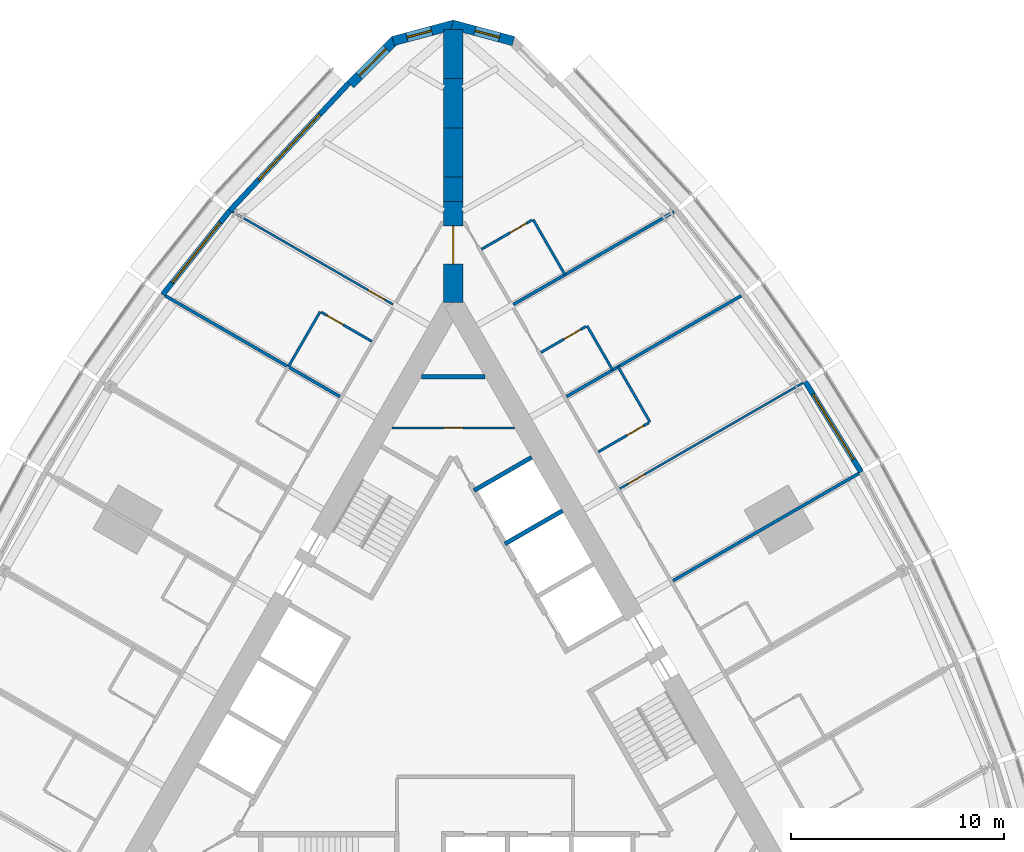
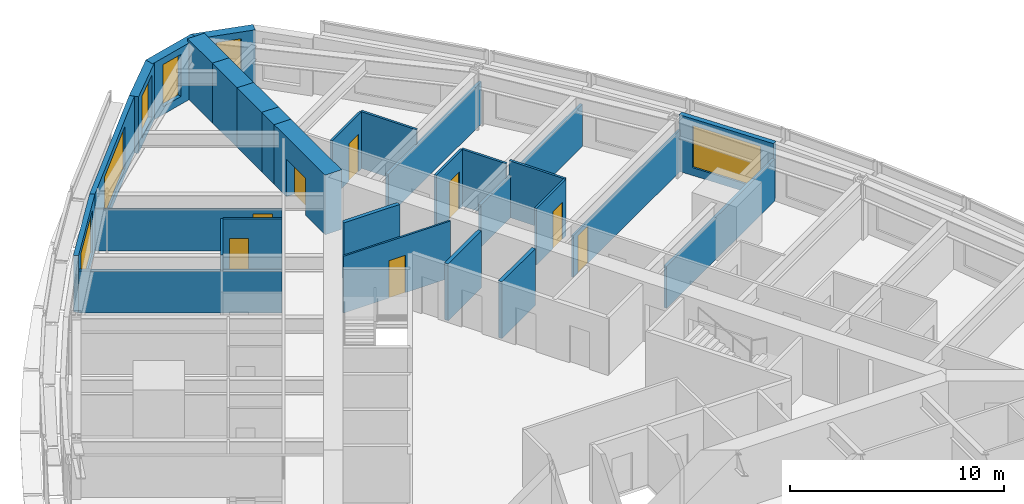
# One storey, part 12 of 14: 29 walls, 8 doors, 6 windows, 14 openings.
"""IFC4 building model written with IfcOpenShell, lengths in metres."""

import ifcopenshell
import ifcopenshell.guid

model = None  # the IFC model being written
_history = None  # IfcOwnerHistory: only IFC2X3 demands one
_inside = {}  # id of a spatial element -> (the spatial element, [elements in it])
_under = {}  # id of a project, library or spatial element -> (it, [spatial elements below it])
_declared = {}  # id of a project -> (the project, [libraries it declares])
_typed = {}  # id of a type object -> (the type object, [elements of that type])
_made_of = {}  # id of a material, layer set ... -> (it, [elements and type objects made of it])


def new_model(schema):
    """Start an empty IFC model of exactly this schema.

    Asked for "IFC4X3", IfcOpenShell would pick the latest addendum, in which some entities
    have other attributes; the version numbers below select the first issue.
    IFC2X3 requires an IfcOwnerHistory on every rooted entity: one is made here for all.
    """
    global model, _history
    if schema == "IFC4X3":
        model = ifcopenshell.file(schema_version=(4, 3, 0, 0))
    else:
        model = ifcopenshell.file(schema=schema)
    _inside.clear()
    _under.clear()
    _declared.clear()
    _typed.clear()
    _made_of.clear()
    _history = None
    if model.schema == "IFC2X3":
        org = make("IfcOrganization", Name="unknown")
        user = make(
            "IfcPersonAndOrganization",
            ThePerson=make("IfcPerson", FamilyName="unknown"),
            TheOrganization=org,
        )
        app = make(
            "IfcApplication",
            ApplicationDeveloper=org,
            Version="unknown",
            ApplicationFullName="unknown",
            ApplicationIdentifier="unknown",
        )
        _history = make(
            "IfcOwnerHistory",
            OwningUser=user,
            OwningApplication=app,
            ChangeAction="ADDED",
            CreationDate=0,
        )
    return model


def make(cls, **values):
    """One entity of the class cls with the attributes given. An attribute that is None is left unset."""
    return model.create_entity(
        cls, **{name: value for name, value in values.items() if value is not None}
    )


def rooted(cls, **values):
    """An entity with a GlobalId (a new one), such as an element, a storey or a relation."""
    return make(cls, GlobalId=ifcopenshell.guid.new(), OwnerHistory=_history, **values)


def si_unit(unit_type, name, prefix=None):
    """IfcSIUnit, for example si_unit("LENGTHUNIT", "METRE", prefix="MILLI")."""
    return make("IfcSIUnit", UnitType=unit_type, Prefix=prefix, Name=name)


def assignment(units):
    """IfcUnitAssignment: the units of a project."""
    return None if units is None else make("IfcUnitAssignment", Units=units)


def point(xyz):
    """IfcCartesianPoint."""
    return None if xyz is None else make("IfcCartesianPoint", Coordinates=xyz)


def direction(xyz):
    """IfcDirection."""
    return None if xyz is None else make("IfcDirection", DirectionRatios=xyz)


def frame(location, z_axis=None, x_axis=None):
    """IfcAxis2Placement3D, a coordinate frame: its origin and axes. An axis left out is left unset."""
    return make(
        "IfcAxis2Placement3D",
        Location=point(location),
        Axis=direction(z_axis),
        RefDirection=direction(x_axis),
    )


def frame_2d(location, x_axis=None):
    """IfcAxis2Placement2D, a coordinate frame in the plane: its origin and x axis."""
    return make(
        "IfcAxis2Placement2D", Location=point(location), RefDirection=direction(x_axis)
    )


def origin():
    """The frame at (0, 0, 0) with its axes left unset."""
    return frame((0.0, 0.0, 0.0))


def place(relative_to, where):
    """IfcLocalPlacement: puts the frame where relative to a parent placement (None: the world)."""
    return make(
        "IfcLocalPlacement", PlacementRelTo=relative_to, RelativePlacement=where
    )


def context(
    kind, dimensions, precision=None, world=None, true_north=None, identifier=None
):
    """IfcGeometricRepresentationContext, for example the 3D "Model" context."""
    return make(
        "IfcGeometricRepresentationContext",
        ContextIdentifier=identifier,
        ContextType=kind,
        CoordinateSpaceDimension=dimensions,
        Precision=precision,
        WorldCoordinateSystem=world,
        TrueNorth=true_north,
    )


def subcontext(parent, identifier, kind, view, scale=None):
    """IfcGeometricRepresentationSubContext, for example "Body" below "Model"."""
    return make(
        "IfcGeometricRepresentationSubContext",
        ContextIdentifier=identifier,
        ContextType=kind,
        ParentContext=parent,
        TargetScale=scale,
        TargetView=view,
    )


def project(units=None, contexts=None):
    """IfcProject with its units and contexts."""
    return rooted(
        "IfcProject",
        Name="project",
        RepresentationContexts=contexts,
        UnitsInContext=assignment(units),
    )


def spatial(cls, under=None, at=None, **own):
    """A site, building, storey or space (cls), placed at a placement, below another one or the project."""
    s = rooted(cls, ObjectPlacement=at, **own)
    if under is not None:
        _under.setdefault(under.id(), (under, []))[1].append(s)
    return s


def polyline(points):
    """IfcPolyline through the points."""
    return make("IfcPolyline", Points=[point(p) for p in points])


def profile(cls, at=None, kind="AREA", **sizes):
    """A parametric profile (cls). Its sizes go by their IFC names, for example OverallWidth=200.0."""
    return make(cls, ProfileType=kind, Position=at, **sizes)


def rectangle(**sizes):
    """IfcRectangleProfileDef."""
    return profile("IfcRectangleProfileDef", **sizes)


def outline(outer, holes=None, kind="AREA"):
    """IfcArbitraryClosedProfileDef: a profile drawn as a closed curve; with holes, ...WithVoids."""
    if holes is None:
        return make("IfcArbitraryClosedProfileDef", ProfileType=kind, OuterCurve=outer)
    return make(
        "IfcArbitraryProfileDefWithVoids",
        ProfileType=kind,
        OuterCurve=outer,
        InnerCurves=holes,
    )


def extrude(swept, where, along, depth):
    """IfcExtrudedAreaSolid: the profile swept, set in the frame where, extruded along a direction by depth."""
    return make(
        "IfcExtrudedAreaSolid",
        SweptArea=swept,
        Position=where,
        ExtrudedDirection=direction(along),
        Depth=depth,
    )


def shape(context_of_items, identifier, shape_type, items):
    """IfcShapeRepresentation: the items that make up one representation, for example the "Body"."""
    return make(
        "IfcShapeRepresentation",
        ContextOfItems=context_of_items,
        RepresentationIdentifier=identifier,
        RepresentationType=shape_type,
        Items=items,
    )


def material(Name=None, Category=None):
    """IfcMaterial."""
    return make("IfcMaterial", Name=Name, Category=Category)


def layer(
    of_material, thickness, ventilated=None, Name=None, Category=None, Priority=None
):
    """IfcMaterialLayer: one layer of a wall or slab, of a material (None: an air gap)."""
    return make(
        "IfcMaterialLayer",
        Material=of_material,
        LayerThickness=thickness,
        IsVentilated=ventilated,
        Name=Name,
        Category=Category,
        Priority=Priority,
    )


def layer_set(layers, Name=None):
    """IfcMaterialLayerSet."""
    return make("IfcMaterialLayerSet", MaterialLayers=layers, LayerSetName=Name)


def made_of(thing, what):
    """Note that an element or type object is made of a material, layer set ...; save() writes the relation."""
    if what is not None:
        _made_of.setdefault(what.id(), (what, []))[1].append(thing)
    return thing


def type_object(cls, material=None, **own):
    """A type object (cls), such as IfcWallType, which elements share."""
    return made_of(rooted(cls, **own), material)


def element(
    cls,
    number,
    at=None,
    inside=None,
    cuts=None,
    type_object=None,
    material=None,
    context=None,
    identifier="Body",
    shape_type=None,
    held_by="IfcProductDefinitionShape",
    body=None,
    shapes=None,
    **own,
):
    """One element of the class cls, such as IfcWall. Its Tag is "e" and its number.

    at: its placement. inside: the storey or other place that contains it. cuts: it is an
    opening in that element (IfcRelVoidsElement). A single representation is given by context,
    identifier, shape_type and body (its items); several are given by shapes. held_by: the class
    of the entity that holds the representations. save() writes the other relations.
    """
    e = rooted(cls, Tag="e%d" % number, ObjectPlacement=at, **own)
    if body is not None:
        shapes = [shape(context, identifier, shape_type, body)]
    if shapes is not None:
        e.Representation = make(held_by, Representations=shapes)
    if inside is not None:
        _inside.setdefault(inside.id(), (inside, []))[1].append(e)
    if cuts is not None:
        rooted(
            "IfcRelVoidsElement", RelatingBuildingElement=cuts, RelatedOpeningElement=e
        )
    if type_object is not None:
        _typed.setdefault(type_object.id(), (type_object, []))[1].append(e)
    return made_of(e, material)


def fill(opening, filler):
    """IfcRelFillsElement: the door or window that sits in an opening."""
    return rooted(
        "IfcRelFillsElement",
        RelatingOpeningElement=opening,
        RelatedBuildingElement=filler,
    )


def aggregate(whole, parts):
    """IfcRelAggregates: a whole, such as a stair, and the parts it consists of."""
    return rooted("IfcRelAggregates", RelatingObject=whole, RelatedObjects=parts)


def save(model, path):
    """Write the relations noted so far, then the file.

    IfcRelAggregates (storeys below a building ...), IfcRelContainedInSpatialStructure (elements
    in a storey), IfcRelDefinesByType, IfcRelAssociatesMaterial and IfcRelDeclares: one each for
    every whole, place, type object, material and project.
    """
    for whole, parts in _under.values():
        aggregate(whole, parts)
    for where, things in _inside.values():
        rooted(
            "IfcRelContainedInSpatialStructure",
            RelatedElements=things,
            RelatingStructure=where,
        )
    for kind, things in _typed.values():
        rooted("IfcRelDefinesByType", RelatedObjects=things, RelatingType=kind)
    for what, things in _made_of.values():
        rooted("IfcRelAssociatesMaterial", RelatedObjects=things, RelatingMaterial=what)
    for by, libraries in _declared.values():
        rooted("IfcRelDeclares", RelatingContext=by, RelatedDefinitions=libraries)
    model.write(path)


model = new_model("IFC4")

# Units and contexts
model_context = context("Model", 3, precision=1e-05, world=origin(), true_north=direction((0.0, 1.0)))
body_context = subcontext(model_context, "Body", "Model", "MODEL_VIEW")
ifc_project = project(units=[si_unit("LENGTHUNIT", "METRE"), si_unit("AREAUNIT", "SQUARE_METRE"), si_unit("VOLUMEUNIT", "CUBIC_METRE"), si_unit("PLANEANGLEUNIT", "RADIAN"), si_unit("MASSUNIT", "GRAM", prefix="KILO")], contexts=[model_context])

# Site, building, storey
site_placement = place(None, origin())
site = spatial("IfcSite", under=ifc_project, at=site_placement, CompositionType="ELEMENT")
building_placement = place(site_placement, origin())
building = spatial("IfcBuilding", under=site, at=building_placement, Name="Trikona Tower", CompositionType="ELEMENT")
storey_placement = place(building_placement, frame((0.0, 0.0, 52.300048828125)))
storey = spatial("IfcBuildingStorey", under=building, at=storey_placement, Name="L12", CompositionType="ELEMENT", Elevation=52.300048828125)

# Wall
ifc_material_1 = material(Name="Metal stud and cement board", Category="gypsum")
ifc_layer_1 = layer(ifc_material_1, 0.1201171875)
ifc_layer_set_1 = layer_set([ifc_layer_1], Name="Bathroom wall 120")
wall_type_1 = type_object("IfcWallType", Name="Bathroom wall 120", PredefinedType="PLUMBINGWALL", material=ifc_layer_set_1)
wall_1_placement = place(storey_placement, frame((9.25341796875, 13.42529296875, 0.0), z_axis=(0.0, 0.0, 1.0), x_axis=(-0.499990139034, 0.866031096941, 0.0)))
element("IfcWall", 1, at=wall_1_placement, inside=storey, type_object=wall_type_1, Name="Bathroom wall 1208.1", PredefinedType="PLUMBINGWALL", context=body_context, shape_type="SweptSolid", body=[
    extrude(rectangle(XDim=3.0, YDim=0.1201171875, at=frame_2d((1.5, 0.0))), origin(), (0.0, 0.0, 1.0), 3.23486328125),
])

# Wall, opening, door
wall_2_placement = place(storey_placement, frame((6.82861328125, 12.025390625, 0.0), z_axis=(0.0, 0.0, 1.0), x_axis=(0.866035715982, 0.499982138324, 0.0)))
wall_2 = element("IfcWall", 2, at=wall_2_placement, inside=storey, type_object=wall_type_1, Name="Bathroom wall 1208.1", PredefinedType="PLUMBINGWALL", context=body_context, shape_type="SweptSolid", body=[
    extrude(rectangle(XDim=2.73974609375, YDim=0.1201171875, at=frame_2d((1.369873046875, 0.0))), origin(), (0.0, 0.0, 1.0), 3.23486328125),
])
opening_1_placement = place(wall_2_placement, frame((1.550048828125, 0.0, 0.0)))
opening_1 = element("IfcOpeningElement", 3, at=opening_1_placement, cuts=wall_2, Name="Opening D2", PredefinedType="OPENING", context=body_context, shape_type="SweptSolid", body=[
    extrude(rectangle(XDim=0.89990234375, YDim=2.1298828125, at=frame_2d((0.449951171875, 1.06494140625))), frame((0.0, 0.070068359375, 0.0), z_axis=(0.0, -1.0, 0.0), x_axis=(1.0, 0.0, 0.0)), (0.0, 0.0, 1.0), 0.14013671875),
])
ifc_material_2 = material(Name="Steel door frame with solid-core timber leaf", Category="steel")
door_type_1 = type_object("IfcDoorType", Name="Bathroom door 900x2130", OperationType="SLIDING_TO_LEFT", PredefinedType="DOOR", material=ifc_material_2)
door_1_placement = place(opening_1_placement, origin())
door_1 = element("IfcDoor", 4, at=door_1_placement, inside=storey, type_object=door_type_1, Name="Bathroom door 1208.1", OperationType="SLIDING_TO_LEFT", OverallHeight=2.1298828125, OverallWidth=0.89990234375, PredefinedType="DOOR", context=body_context, shape_type="SweptSolid", body=[
    extrude(rectangle(XDim=0.89990234375, YDim=2.1298828125, at=frame_2d((0.449951171875, 1.06494140625))), frame((0.0, 0.02490234375, 0.0), z_axis=(0.0, -1.0, 0.0), x_axis=(1.0, 0.0, 0.0)), (0.0, 0.0, 1.0), 0.050048828125),
])
fill(opening_1, door_1)

# Wall
wall_3_placement = place(storey_placement, frame((7.493408203125, 15.873291015625, 0.0), z_axis=(0.0, 0.0, 1.0), x_axis=(-0.499957262057, 0.866050077142, 0.0)))
element("IfcWall", 5, at=wall_3_placement, inside=storey, type_object=wall_type_1, Name="Bathroom wall 1209", PredefinedType="PLUMBINGWALL", context=body_context, shape_type="SweptSolid", body=[
    extrude(rectangle(XDim=2.400146484375, YDim=0.1201171875, at=frame_2d((1.2001953125, 0.0))), origin(), (0.0, 0.0, 1.0), 3.23486328125),
])

# Wall, opening, door
wall_4_placement = place(storey_placement, frame((4.12841796875, 16.701904296875, 0.0), z_axis=(0.0, 0.0, 1.0), x_axis=(0.866048967903, 0.499959183527, 0.0)))
wall_4 = element("IfcWall", 6, at=wall_4_placement, inside=storey, type_object=wall_type_1, Name="Bathroom wall 1209", PredefinedType="PLUMBINGWALL", context=body_context, shape_type="SweptSolid", body=[
    extrude(rectangle(XDim=2.440185546875, YDim=0.1201171875, at=frame_2d((1.22021484375, 0.0))), origin(), (0.0, 0.0, 1.0), 3.23486328125),
])
opening_2_placement = place(wall_4_placement, frame((1.25, 0.0, 0.0)))
opening_2 = element("IfcOpeningElement", 7, at=opening_2_placement, cuts=wall_4, Name="Opening D2", PredefinedType="OPENING", context=body_context, shape_type="SweptSolid", body=[
    extrude(rectangle(XDim=0.89990234375, YDim=2.1298828125, at=frame_2d((0.449951171875, 1.06494140625))), frame((0.0, 0.070068359375, 0.0), z_axis=(0.0, -1.0, 0.0), x_axis=(1.0, 0.0, 0.0)), (0.0, 0.0, 1.0), 0.14013671875),
])
door_2_placement = place(opening_2_placement, origin())
door_2 = element("IfcDoor", 8, at=door_2_placement, inside=storey, type_object=door_type_1, Name="Bathroom door 1209", OperationType="SLIDING_TO_LEFT", OverallHeight=2.1298828125, OverallWidth=0.89990234375, PredefinedType="DOOR", context=body_context, shape_type="SweptSolid", body=[
    extrude(rectangle(XDim=0.89990234375, YDim=2.1298828125, at=frame_2d((0.449951171875, 1.06494140625))), frame((0.0, 0.02490234375, 0.0), z_axis=(0.0, -1.0, 0.0), x_axis=(1.0, 0.0, 0.0)), (0.0, 0.0, 1.0), 0.050048828125),
])
fill(opening_2, door_2)

# Wall
wall_5_placement = place(storey_placement, frame((5.25341796875, 20.353515625, 0.0), z_axis=(0.0, 0.0, 1.0), x_axis=(-0.499990139034, 0.866031096941, 0.0)))
element("IfcWall", 9, at=wall_5_placement, inside=storey, type_object=wall_type_1, Name="Bathroom wall 1210", PredefinedType="PLUMBINGWALL", context=body_context, shape_type="SweptSolid", body=[
    extrude(rectangle(XDim=3.0, YDim=0.1201171875, at=frame_2d((1.5, 0.0))), origin(), (0.0, 0.0, 1.0), 3.23486328125),
])

# Wall, opening, door
wall_6_placement = place(storey_placement, frame((1.32861328125, 21.551513671875, 0.0), z_axis=(0.0, 0.0, 1.0), x_axis=(0.865997131366, 0.500048966069, 0.0)))
wall_6 = element("IfcWall", 10, at=wall_6_placement, inside=storey, type_object=wall_type_1, Name="Bathroom wall 1210", PredefinedType="PLUMBINGWALL", context=body_context, shape_type="SweptSolid", body=[
    extrude(rectangle(XDim=2.739990234375, YDim=0.1201171875, at=frame_2d((1.3701171875, 0.0))), origin(), (0.0, 0.0, 1.0), 3.23486328125),
])
opening_3_placement = place(wall_6_placement, frame((1.550048828125, 0.0, 0.0)))
opening_3 = element("IfcOpeningElement", 11, at=opening_3_placement, cuts=wall_6, Name="Opening D2", PredefinedType="OPENING", context=body_context, shape_type="SweptSolid", body=[
    extrude(rectangle(XDim=0.89990234375, YDim=2.1298828125, at=frame_2d((0.449951171875, 1.06494140625))), frame((0.0, 0.070068359375, 0.0), z_axis=(0.0, -1.0, 0.0), x_axis=(1.0, 0.0, 0.0)), (0.0, 0.0, 1.0), 0.14013671875),
])
door_3_placement = place(opening_3_placement, origin())
door_3 = element("IfcDoor", 12, at=door_3_placement, inside=storey, type_object=door_type_1, Name="Bathroom door 1210", OperationType="SLIDING_TO_LEFT", OverallHeight=2.1298828125, OverallWidth=0.89990234375, PredefinedType="DOOR", context=body_context, shape_type="SweptSolid", body=[
    extrude(rectangle(XDim=0.89990234375, YDim=2.1298828125, at=frame_2d((0.449951171875, 1.06494140625))), frame((0.0, 0.02490234375, 0.0), z_axis=(0.0, -1.0, 0.0), x_axis=(1.0, 0.0, 0.0)), (0.0, 0.0, 1.0), 0.050048828125),
])
fill(opening_3, door_3)

# Wall
wall_7_placement = place(storey_placement, frame((-6.25341796875, 18.62158203125, 0.0), z_axis=(0.0, 0.0, 1.0), x_axis=(-0.499990139034, -0.866031096941, 0.0)))
element("IfcWall", 13, at=wall_7_placement, inside=storey, type_object=wall_type_1, Name="Bathroom wall 1211.1", PredefinedType="PLUMBINGWALL", context=body_context, shape_type="SweptSolid", body=[
    extrude(rectangle(XDim=3.0, YDim=0.1201171875, at=frame_2d((1.5, 0.0))), origin(), (0.0, 0.0, 1.0), 3.23486328125),
])

# Wall, opening, door
wall_8_placement = place(storey_placement, frame((-3.82861328125, 17.221435546875, 0.0), z_axis=(0.0, 0.0, 1.0), x_axis=(-0.865997131366, 0.500048966069, 0.0)))
wall_8 = element("IfcWall", 14, at=wall_8_placement, inside=storey, type_object=wall_type_1, Name="Bathroom wall 1211.1", PredefinedType="PLUMBINGWALL", context=body_context, shape_type="SweptSolid", body=[
    extrude(rectangle(XDim=2.739990234375, YDim=0.1201171875, at=frame_2d((1.3701171875, 0.0))), origin(), (0.0, 0.0, 1.0), 3.23486328125),
])
opening_4_placement = place(wall_8_placement, frame((1.550048828125, 0.0, 0.0)))
opening_4 = element("IfcOpeningElement", 15, at=opening_4_placement, cuts=wall_8, Name="Opening D2", PredefinedType="OPENING", context=body_context, shape_type="SweptSolid", body=[
    extrude(rectangle(XDim=0.89990234375, YDim=2.1298828125, at=frame_2d((0.449951171875, 1.06494140625))), frame((0.0, 0.070068359375, 0.0), z_axis=(0.0, -1.0, 0.0), x_axis=(1.0, 0.0, 0.0)), (0.0, 0.0, 1.0), 0.14013671875),
])
door_4_placement = place(opening_4_placement, origin())
door_4 = element("IfcDoor", 16, at=door_4_placement, inside=storey, type_object=door_type_1, Name="Bathroom door 1211.1", OperationType="SLIDING_TO_LEFT", OverallHeight=2.1298828125, OverallWidth=0.89990234375, PredefinedType="DOOR", context=body_context, shape_type="SweptSolid", body=[
    extrude(rectangle(XDim=0.89990234375, YDim=2.1298828125, at=frame_2d((0.449951171875, 1.06494140625))), frame((0.0, 0.02490234375, 0.0), z_axis=(0.0, -1.0, 0.0), x_axis=(1.0, 0.0, 0.0)), (0.0, 0.0, 1.0), 0.050048828125),
])
fill(opening_4, door_4)

# Wall, opening, window
ifc_material_3 = material(Name="Brick-faced precast concrete", Category="masonry")
ifc_layer_2 = layer(ifc_material_3, 0.449951171875)
ifc_layer_set_2 = layer_set([ifc_layer_2], Name="Brick-faced corner wall 450")
wall_type_2 = type_object("IfcWallType", Name="Brick-faced corner wall 450", PredefinedType="SOLIDWALL", material=ifc_layer_set_2)
wall_9_placement = place(storey_placement, frame((2.82861328125, 31.3408203125, 0.0), z_axis=(0.0, 0.0, 1.0), x_axis=(-0.965930548995, 0.258801419081, 0.0)))
wall_9 = element("IfcWall", 17, at=wall_9_placement, inside=storey, type_object=wall_type_2, Name="External wall L12-21", PredefinedType="SOLIDWALL", context=body_context, shape_type="SweptSolid", body=[
    extrude(outline(polyline([(2.988525390625, 0.22509765625), (2.92919921875, 0.22509765625), (2.4375, 0.09326171875), (2.40234375, 0.22509765625), (0.0, 0.22509765625), (0.0, -0.22509765625), (2.988525390625, -0.22509765625), (2.988525390625, 0.22509765625)])), origin(), (0.0, 0.0, 1.0), 3.23486328125),
])
opening_5_placement = place(wall_9_placement, frame((0.676025390625, 0.0, 0.449951171875)))
opening_5 = element("IfcOpeningElement", 18, at=opening_5_placement, cuts=wall_9, Name="Opening W1224", PredefinedType="OPENING", context=body_context, shape_type="SweptSolid", body=[
    extrude(rectangle(XDim=1.199951171875, YDim=2.39990234375, at=frame_2d((0.60009765625, 1.199951171875))), frame((0.0, 0.23486328125, 0.0), z_axis=(0.0, -1.0, 0.0), x_axis=(1.0, 0.0, 0.0)), (0.0, 0.0, 1.0), 0.469970703125),
])
ifc_material_4 = material(Name="Aluminium-framed double glazing", Category="aluminium")
window_type_1 = type_object("IfcWindowType", Name="Window 1200x2400", PartitioningType="SINGLE_PANEL", PredefinedType="WINDOW", material=ifc_material_4)
window_1_placement = place(opening_5_placement, origin())
window_1 = element("IfcWindow", 19, at=window_1_placement, inside=storey, type_object=window_type_1, Name="Window 1210", OverallHeight=2.39990234375, OverallWidth=1.199951171875, PartitioningType="SINGLE_PANEL", PredefinedType="WINDOW", context=body_context, shape_type="SweptSolid", body=[
    extrude(rectangle(XDim=1.199951171875, YDim=2.39990234375, at=frame_2d((0.60009765625, 1.199951171875))), frame((0.0, 0.030029296875, 0.0), z_axis=(0.0, -1.0, 0.0), x_axis=(1.0, 0.0, 0.0)), (0.0, 0.0, 1.0), 0.06005859375),
])
fill(opening_5, window_1)

wall_10_placement = place(storey_placement, frame((0.05810546875, 32.1142578125, 0.0), z_axis=(0.0, 0.0, 1.0), x_axis=(-0.965930548995, -0.258801419081, 0.0)))
wall_10 = element("IfcWall", 20, at=wall_10_placement, inside=storey, type_object=wall_type_2, Name="External wall L12-22", PredefinedType="SOLIDWALL", context=body_context, shape_type="SweptSolid", body=[
    extrude(outline(polyline([(2.988525390625, 0.22509765625), (0.58642578125, 0.22509765625), (0.551025390625, 0.09326171875), (0.059326171875, 0.22509765625), (0.0, 0.22509765625), (0.0, -0.22509765625), (2.988525390625, -0.22509765625), (2.988525390625, 0.22509765625)])), origin(), (0.0, 0.0, 1.0), 3.23486328125),
])
opening_6_placement = place(wall_10_placement, frame((1.112548828125, 0.0, 0.449951171875)))
opening_6 = element("IfcOpeningElement", 21, at=opening_6_placement, cuts=wall_10, Name="Opening W1224", PredefinedType="OPENING", context=body_context, shape_type="SweptSolid", body=[
    extrude(rectangle(XDim=1.199951171875, YDim=2.39990234375, at=frame_2d((0.60009765625, 1.199951171875))), frame((0.0, 0.23486328125, 0.0), z_axis=(0.0, -1.0, 0.0), x_axis=(1.0, 0.0, 0.0)), (0.0, 0.0, 1.0), 0.469970703125),
])
window_2_placement = place(opening_6_placement, origin())
window_2 = element("IfcWindow", 22, at=window_2_placement, inside=storey, type_object=window_type_1, Name="Window 1211", OverallHeight=2.39990234375, OverallWidth=1.199951171875, PartitioningType="SINGLE_PANEL", PredefinedType="WINDOW", context=body_context, shape_type="SweptSolid", body=[
    extrude(rectangle(XDim=1.199951171875, YDim=2.39990234375, at=frame_2d((0.60009765625, 1.199951171875))), frame((0.0, 0.030029296875, 0.0), z_axis=(0.0, -1.0, 0.0), x_axis=(1.0, 0.0, 0.0)), (0.0, 0.0, 1.0), 0.06005859375),
])
fill(opening_6, window_2)

wall_11_placement = place(storey_placement, frame((-2.727783203125, 31.39892578125, 0.0), z_axis=(0.0, 0.0, 1.0), x_axis=(-0.707106781187, -0.707106781187, 0.0)))
wall_11 = element("IfcWall", 23, at=wall_11_placement, inside=storey, type_object=wall_type_2, Name="External wall L12-23", PredefinedType="SOLIDWALL", context=body_context, shape_type="SweptSolid", body=[
    extrude(rectangle(XDim=2.98828125, YDim=0.449951171875, at=frame_2d((1.494140625, 0.0))), origin(), (0.0, 0.0, 1.0), 3.23486328125),
])
opening_7_placement = place(wall_11_placement, frame((0.59423828125, 0.0, 0.449951171875)))
opening_7 = element("IfcOpeningElement", 24, at=opening_7_placement, cuts=wall_11, Name="Opening W1824", PredefinedType="OPENING", context=body_context, shape_type="SweptSolid", body=[
    extrude(rectangle(XDim=1.800048828125, YDim=2.39990234375, at=frame_2d((0.89990234375, 1.199951171875))), frame((0.0, 0.23486328125, 0.0), z_axis=(0.0, -1.0, 0.0), x_axis=(1.0, 0.0, 0.0)), (0.0, 0.0, 1.0), 0.469970703125),
])
ifc_material_5 = material(Name="Aluminium-framed double glazing", Category="aluminium")
window_type_2 = type_object("IfcWindowType", Name="Window 1800x2400", PartitioningType="SINGLE_PANEL", PredefinedType="WINDOW", material=ifc_material_5)
window_3_placement = place(opening_7_placement, origin())
window_3 = element("IfcWindow", 25, at=window_3_placement, inside=storey, type_object=window_type_2, Name="Window 1211", OverallHeight=2.39990234375, OverallWidth=1.800048828125, PartitioningType="SINGLE_PANEL", PredefinedType="WINDOW", context=body_context, shape_type="SweptSolid", body=[
    extrude(rectangle(XDim=1.800048828125, YDim=2.39990234375, at=frame_2d((0.89990234375, 1.199951171875))), frame((0.0, 0.030029296875, 0.0), z_axis=(0.0, -1.0, 0.0), x_axis=(1.0, 0.0, 0.0)), (0.0, 0.0, 1.0), 0.06005859375),
])
fill(opening_7, window_3)

# Wall, opening, door
ifc_material_6 = material(Name="Concrete f'c 10000 psi", Category="concrete")
ifc_layer_3 = layer(ifc_material_6, 0.89990234375)
ifc_layer_set_3 = layer_set([ifc_layer_3], Name="Buttress wall 900")
wall_type_3 = type_object("IfcWallType", Name="Buttress wall 900", PredefinedType="SHEAR", material=ifc_layer_set_3)
wall_12_placement = place(storey_placement, frame((0.0, 19.052490234375, 0.0), z_axis=(0.0, 0.0, 1.0), x_axis=(0.0, 1.0, 0.0)))
wall_12 = element("IfcWall", 26, at=wall_12_placement, inside=storey, type_object=wall_type_3, Name="Buttress wall 2", PredefinedType="SHEAR", context=body_context, shape_type="SweptSolid", body=[
    extrude(rectangle(XDim=4.74609375, YDim=0.89990234375, at=frame_2d((2.373046875, 0.0))), origin(), (0.0, 0.0, 1.0), 3.39990234375),
])
opening_8_placement = place(wall_12_placement, frame((1.800048828125, 0.0, 0.0)))
opening_8 = element("IfcOpeningElement", 27, at=opening_8_placement, cuts=wall_12, Name="Opening D10", PredefinedType="OPENING", context=body_context, shape_type="SweptSolid", body=[
    extrude(rectangle(XDim=1.800048828125, YDim=2.1298828125, at=frame_2d((0.89990234375, 1.06494140625))), frame((0.0, 0.4599609375, 0.0), z_axis=(0.0, -1.0, 0.0), x_axis=(1.0, 0.0, 0.0)), (0.0, 0.0, 1.0), 0.919921875),
])
ifc_material_7 = material(Name="Hollow metal door and frame", Category="steel")
door_type_2 = type_object("IfcDoorType", Name="Cross-corridor door pair 1800x2130", OperationType="DOUBLE_DOOR_DOUBLE_SWING", PredefinedType="DOOR", material=ifc_material_7)
door_5_placement = place(opening_8_placement, origin())
door_5 = element("IfcDoor", 28, at=door_5_placement, inside=storey, type_object=door_type_2, Name="Cross-corridor door 2", OperationType="DOUBLE_DOOR_DOUBLE_SWING", OverallHeight=2.1298828125, OverallWidth=1.800048828125, PredefinedType="DOOR", context=body_context, shape_type="SweptSolid", body=[
    extrude(rectangle(XDim=1.800048828125, YDim=2.1298828125, at=frame_2d((0.89990234375, 1.06494140625))), frame((0.0, 0.02490234375, 0.0), z_axis=(0.0, -1.0, 0.0), x_axis=(1.0, 0.0, 0.0)), (0.0, 0.0, 1.0), 0.050048828125),
])
fill(opening_8, door_5)

# Walls
wall_13_placement = place(storey_placement, frame((0.0, 23.798583984375, 0.0), z_axis=(0.0, 0.0, 1.0), x_axis=(0.0, 1.0, 0.0)))
element("IfcWall", 29, at=wall_13_placement, inside=storey, type_object=wall_type_3, Name="Buttress wall 2 part 2", PredefinedType="SHEAR", context=body_context, shape_type="SweptSolid", body=[
    extrude(rectangle(XDim=1.15478515625, YDim=0.89990234375, at=frame_2d((0.577392578125, 0.0))), origin(), (0.0, 0.0, 1.0), 3.39990234375),
])
wall_14_placement = place(storey_placement, frame((0.0, 24.953369140625, 0.0), z_axis=(0.0, 0.0, 1.0), x_axis=(0.0, 1.0, 0.0)))
element("IfcWall", 30, at=wall_14_placement, inside=storey, type_object=wall_type_3, Name="Buttress wall 2 part 3", PredefinedType="SHEAR", context=body_context, shape_type="SweptSolid", body=[
    extrude(rectangle(XDim=2.309326171875, YDim=0.89990234375, at=frame_2d((1.15478515625, 0.0))), origin(), (0.0, 0.0, 1.0), 3.39990234375),
])
wall_15_placement = place(storey_placement, frame((0.0, 27.2626953125, 0.0), z_axis=(0.0, 0.0, 1.0), x_axis=(0.0, 1.0, 0.0)))
element("IfcWall", 31, at=wall_15_placement, inside=storey, type_object=wall_type_3, Name="Buttress wall 2 part 4", PredefinedType="SHEAR", context=body_context, shape_type="SweptSolid", body=[
    extrude(rectangle(XDim=2.3095703125, YDim=0.89990234375, at=frame_2d((1.15478515625, 0.0))), origin(), (0.0, 0.0, 1.0), 3.39990234375),
])
wall_16_placement = place(storey_placement, frame((0.0, 29.572265625, 0.0), z_axis=(0.0, 0.0, 1.0), x_axis=(0.0, 1.0, 0.0)))
element("IfcWall", 32, at=wall_16_placement, inside=storey, type_object=wall_type_3, Name="Buttress wall 2 part 5", PredefinedType="SHEAR", context=body_context, shape_type="SweptSolid", body=[
    extrude(rectangle(XDim=2.309326171875, YDim=0.89990234375, at=frame_2d((1.15478515625, 0.0))), origin(), (0.0, 0.0, 1.0), 3.39990234375),
])

# Wall, opening, window
ifc_material_8 = material(Name="Insulated precast concrete spandrel panel", Category="concrete")
ifc_layer_4 = layer(ifc_material_8, 0.25)
ifc_layer_set_4 = layer_set([ifc_layer_4], Name="Inner skin wall 250")
wall_type_4 = type_object("IfcWallType", Name="Inner skin wall 250", PredefinedType="STANDARD", material=ifc_layer_set_4)
wall_17_placement = place(storey_placement, frame((19.182373046875, 11.070556640625, 0.0), z_axis=(0.0, 0.0, 1.0), x_axis=(-0.526132807704, 0.850402415717, 0.0)))
wall_17 = element("IfcWall", 33, at=wall_17_placement, inside=storey, type_object=wall_type_4, Name="External wall L12-16", PredefinedType="STANDARD", context=body_context, shape_type="SweptSolid", body=[
    extrude(rectangle(XDim=5.002197265625, YDim=0.25, at=frame_2d((2.5009765625, 0.0))), origin(), (0.0, 0.0, 1.0), 3.23486328125),
])
opening_9_placement = place(wall_17_placement, frame((0.701171875, 0.0, 0.449951171875)))
opening_9 = element("IfcOpeningElement", 34, at=opening_9_placement, cuts=wall_17, Name="Opening W3624", PredefinedType="OPENING", context=body_context, shape_type="SweptSolid", body=[
    extrude(rectangle(XDim=3.60009765625, YDim=2.39990234375, at=frame_2d((1.800048828125, 1.199951171875))), frame((0.0, 0.135009765625, 0.0), z_axis=(0.0, -1.0, 0.0), x_axis=(1.0, 0.0, 0.0)), (0.0, 0.0, 1.0), 0.27001953125),
])
ifc_material_9 = material(Name="Aluminium-framed double glazing", Category="aluminium")
window_type_3 = type_object("IfcWindowType", Name="Window 3600x2400", PartitioningType="SINGLE_PANEL", PredefinedType="WINDOW", material=ifc_material_9)
window_4_placement = place(opening_9_placement, origin())
window_4 = element("IfcWindow", 35, at=window_4_placement, inside=storey, type_object=window_type_3, Name="Window 1208", OverallHeight=2.39990234375, OverallWidth=3.60009765625, PartitioningType="SINGLE_PANEL", PredefinedType="WINDOW", context=body_context, shape_type="SweptSolid", body=[
    extrude(rectangle(XDim=3.60009765625, YDim=2.39990234375, at=frame_2d((1.800048828125, 1.199951171875))), frame((0.0, 0.030029296875, 0.0), z_axis=(0.0, -1.0, 0.0), x_axis=(1.0, 0.0, 0.0)), (0.0, 0.0, 1.0), 0.06005859375),
])
fill(opening_9, window_4)

wall_18_placement = place(storey_placement, frame((-4.90869140625, 29.359619140625, 0.0), z_axis=(0.0, 0.0, 1.0), x_axis=(-0.682289646561, -0.731081964075, 0.0)))
wall_18 = element("IfcWall", 36, at=wall_18_placement, inside=storey, type_object=wall_type_4, Name="External wall L12-24", PredefinedType="STANDARD", context=body_context, shape_type="SweptSolid", body=[
    extrude(rectangle(XDim=8.2109375, YDim=0.25, at=frame_2d((4.10546875, 0.0))), origin(), (0.0, 0.0, 1.0), 3.23486328125),
])
opening_10_placement = place(wall_18_placement, frame((2.005615234375, 0.0, 0.449951171875)))
opening_10 = element("IfcOpeningElement", 37, at=opening_10_placement, cuts=wall_18, Name="Opening W4224", PredefinedType="OPENING", context=body_context, shape_type="SweptSolid", body=[
    extrude(rectangle(XDim=4.199951171875, YDim=2.39990234375, at=frame_2d((2.10009765625, 1.199951171875))), frame((0.0, 0.135009765625, 0.0), z_axis=(0.0, -1.0, 0.0), x_axis=(1.0, 0.0, 0.0)), (0.0, 0.0, 1.0), 0.27001953125),
])
ifc_material_10 = material(Name="Aluminium-framed double glazing", Category="aluminium")
window_type_4 = type_object("IfcWindowType", Name="Window 4200x2400", PartitioningType="SINGLE_PANEL", PredefinedType="WINDOW", material=ifc_material_10)
window_5_placement = place(opening_10_placement, origin())
window_5 = element("IfcWindow", 38, at=window_5_placement, inside=storey, type_object=window_type_4, Name="Window 1211", OverallHeight=2.39990234375, OverallWidth=4.199951171875, PartitioningType="SINGLE_PANEL", PredefinedType="WINDOW", context=body_context, shape_type="SweptSolid", body=[
    extrude(rectangle(XDim=4.199951171875, YDim=2.39990234375, at=frame_2d((2.10009765625, 1.199951171875))), frame((0.0, 0.030029296875, 0.0), z_axis=(0.0, -1.0, 0.0), x_axis=(1.0, 0.0, 0.0)), (0.0, 0.0, 1.0), 0.06005859375),
])
fill(opening_10, window_5)

wall_19_placement = place(storey_placement, frame((-10.5048828125, 23.36376953125, 0.0), z_axis=(0.0, 0.0, 1.0), x_axis=(-0.624594965756, -0.780948864364, 0.0)))
wall_19 = element("IfcWall", 39, at=wall_19_placement, inside=storey, type_object=wall_type_4, Name="External wall L12-25", PredefinedType="STANDARD", context=body_context, shape_type="SweptSolid", body=[
    extrude(rectangle(XDim=5.0576171875, YDim=0.25, at=frame_2d((2.52880859375, 0.0))), origin(), (0.0, 0.0, 1.0), 3.23486328125),
])
opening_11_placement = place(wall_19_placement, frame((0.728759765625, 0.0, 0.449951171875)))
opening_11 = element("IfcOpeningElement", 40, at=opening_11_placement, cuts=wall_19, Name="Opening W3624", PredefinedType="OPENING", context=body_context, shape_type="SweptSolid", body=[
    extrude(rectangle(XDim=3.60009765625, YDim=2.39990234375, at=frame_2d((1.800048828125, 1.199951171875))), frame((0.0, 0.135009765625, 0.0), z_axis=(0.0, -1.0, 0.0), x_axis=(1.0, 0.0, 0.0)), (0.0, 0.0, 1.0), 0.27001953125),
])
window_6_placement = place(opening_11_placement, origin())
window_6 = element("IfcWindow", 41, at=window_6_placement, inside=storey, type_object=window_type_3, Name="Window 1211.1", OverallHeight=2.39990234375, OverallWidth=3.60009765625, PartitioningType="SINGLE_PANEL", PredefinedType="WINDOW", context=body_context, shape_type="SweptSolid", body=[
    extrude(rectangle(XDim=3.60009765625, YDim=2.39990234375, at=frame_2d((1.800048828125, 1.199951171875))), frame((0.0, 0.030029296875, 0.0), z_axis=(0.0, -1.0, 0.0), x_axis=(1.0, 0.0, 0.0)), (0.0, 0.0, 1.0), 0.06005859375),
])
fill(opening_11, window_6)

# Walls
ifc_material_11 = material(Name="Metal stud and gypsum board, 1-hour acoustic", Category="gypsum")
ifc_layer_5 = layer(ifc_material_11, 0.14990234375)
ifc_layer_set_5 = layer_set([ifc_layer_5], Name="Party wall 150")
wall_type_5 = type_object("IfcWallType", Name="Party wall 150", PredefinedType="PARTITIONING", material=ifc_layer_set_5)
wall_20_placement = place(storey_placement, frame((10.32861328125, 5.963134765625, 0.0), z_axis=(0.0, 0.0, 1.0), x_axis=(0.866021688545, 0.500006434927, 0.0)))
element("IfcWall", 42, at=wall_20_placement, inside=storey, type_object=wall_type_5, Name="Partition L12 F2 u0", PredefinedType="PARTITIONING", context=body_context, shape_type="SweptSolid", body=[
    extrude(rectangle(XDim=10.095947265625, YDim=0.14990234375, at=frame_2d((5.0478515625, 0.0))), origin(), (0.0, 0.0, 1.0), 2.38916015625),
])
wall_21_placement = place(storey_placement, frame((5.32861328125, 14.623291015625, 0.0), z_axis=(0.0, 0.0, 1.0), x_axis=(0.866018409083, 0.500012114982, 0.0)))
element("IfcWall", 43, at=wall_21_placement, inside=storey, type_object=wall_type_5, Name="Partition L12 F2 u10", PredefinedType="PARTITIONING", context=body_context, shape_type="SweptSolid", body=[
    extrude(rectangle(XDim=9.484619140625, YDim=0.14990234375, at=frame_2d((4.7421875, 0.0))), origin(), (0.0, 0.0, 1.0), 2.38916015625),
])
wall_22_placement = place(storey_placement, frame((2.82861328125, 18.95361328125, 0.0), z_axis=(0.0, 0.0, 1.0), x_axis=(0.866020536561, 0.500008430184, 0.0)))
element("IfcWall", 44, at=wall_22_placement, inside=storey, type_object=wall_type_5, Name="Partition L12 F2 u15", PredefinedType="PARTITIONING", context=body_context, shape_type="SweptSolid", body=[
    extrude(rectangle(XDim=8.719970703125, YDim=0.14990234375, at=frame_2d((4.35986328125, 0.0))), origin(), (0.0, 0.0, 1.0), 2.38916015625),
])
wall_23_placement = place(storey_placement, frame((-5.32861328125, 14.623291015625, 0.0), z_axis=(0.0, 0.0, 1.0), x_axis=(-0.866018409083, 0.500012114982, 0.0)))
element("IfcWall", 45, at=wall_23_placement, inside=storey, type_object=wall_type_5, Name="Partition L12 F3 u-10", PredefinedType="PARTITIONING", context=body_context, shape_type="SweptSolid", body=[
    extrude(rectangle(XDim=9.484619140625, YDim=0.14990234375, at=frame_2d((4.7421875, 0.0))), origin(), (0.0, 0.0, 1.0), 2.38916015625),
])
ifc_material_12 = material(Name="Concrete f'c 8000 psi", Category="concrete")
ifc_layer_6 = layer(ifc_material_12, 0.199951171875)
ifc_layer_set_6 = layer_set([ifc_layer_6], Name="Shaft wall 200")
wall_type_6 = type_object("IfcWallType", Name="Shaft wall 200", PredefinedType="SOLIDWALL", material=ifc_layer_set_6)
for number, where, z_axis, x_axis, name in (
    (46, (2.428955078125, 7.695556640625, 0.0), (0.0, 0.0, 1.0), (0.866022959057, 0.500004234368, 0.0), "Shaft wall B5"),
    (47, (0.97900390625, 10.20703125, 0.0), (0.0, 0.0, 1.0), (0.866022959057, 0.500004234368, 0.0), "Shaft wall B6"),
):
    element("IfcWall", number, at=place(storey_placement, frame(where, z_axis=z_axis, x_axis=x_axis)), inside=storey, type_object=wall_type_6, Name=name, PredefinedType="SOLIDWALL", context=body_context, shape_type="SweptSolid", body=[
        extrude(rectangle(XDim=3.125, YDim=0.199951171875, at=frame_2d((1.5625, 0.0))), origin(), (0.0, 0.0, 1.0), 3.23486328125),
    ])
wall_24_placement = place(storey_placement, frame((-1.501220703125, 15.552490234375, 0.0), z_axis=(0.0, 0.0, 1.0), x_axis=(1.0, 0.0, 0.0)))
element("IfcWall", 48, at=wall_24_placement, inside=storey, type_object=wall_type_6, Name="Riser wall L12-RS2", PredefinedType="SOLIDWALL", context=body_context, shape_type="SweptSolid", body=[
    extrude(rectangle(XDim=3.00244140625, YDim=0.199951171875, at=frame_2d((1.501220703125, 0.0))), origin(), (0.0, 0.0, 1.0), 3.23486328125),
])

# Wall, opening, door
ifc_material_13 = material(Name="Metal stud and gypsum board, acoustic", Category="gypsum")
ifc_layer_7 = layer(ifc_material_13, 0.10009765625)
ifc_layer_set_7 = layer_set([ifc_layer_7], Name="Suite partition 100")
wall_type_7 = type_object("IfcWallType", Name="Suite partition 100", PredefinedType="PARTITIONING", material=ifc_layer_set_7)
wall_25_placement = place(storey_placement, frame((7.82861328125, 10.293212890625, 0.0), z_axis=(0.0, 0.0, 1.0), x_axis=(0.866016302457, 0.50001576363, 0.0)))
wall_25 = element("IfcWall", 49, at=wall_25_placement, inside=storey, type_object=wall_type_7, Name="Suite partition L12 F2 u5", PredefinedType="PARTITIONING", context=body_context, shape_type="SweptSolid", body=[
    extrude(rectangle(XDim=9.943115234375, YDim=0.10009765625, at=frame_2d((4.9716796875, 0.0))), origin(), (0.0, 0.0, 1.0), 2.38916015625),
])
opening_12_placement = place(wall_25_placement, frame((0.449951171875, 0.0, 0.0)))
opening_12 = element("IfcOpeningElement", 50, at=opening_12_placement, cuts=wall_25, Name="Opening D13", PredefinedType="OPENING", context=body_context, shape_type="SweptSolid", body=[
    extrude(rectangle(XDim=0.89990234375, YDim=2.1298828125, at=frame_2d((0.449951171875, 1.06494140625))), frame((0.0, 0.06005859375, 0.0), z_axis=(0.0, -1.0, 0.0), x_axis=(1.0, 0.0, 0.0)), (0.0, 0.0, 1.0), 0.1201171875),
])
ifc_material_14 = material(Name="Steel door frame with solid-core timber leaf", Category="steel")
door_type_3 = type_object("IfcDoorType", Name="Suite door 900x2130", OperationType="SINGLE_SWING_LEFT", PredefinedType="DOOR", material=ifc_material_14)
door_6_placement = place(opening_12_placement, origin())
door_6 = element("IfcDoor", 51, at=door_6_placement, inside=storey, type_object=door_type_3, Name="Suite door 1208", OperationType="SINGLE_SWING_LEFT", OverallHeight=2.1298828125, OverallWidth=0.89990234375, PredefinedType="DOOR", context=body_context, shape_type="SweptSolid", body=[
    extrude(rectangle(XDim=0.89990234375, YDim=2.1298828125, at=frame_2d((0.449951171875, 1.06494140625))), frame((0.0, 0.02490234375, 0.0), z_axis=(0.0, -1.0, 0.0), x_axis=(1.0, 0.0, 0.0)), (0.0, 0.0, 1.0), 0.050048828125),
])
fill(opening_12, door_6)

wall_26_placement = place(storey_placement, frame((-2.82861328125, 18.95361328125, 0.0), z_axis=(0.0, 0.0, 1.0), x_axis=(-0.866020536561, 0.500008430184, 0.0)))
wall_26 = element("IfcWall", 52, at=wall_26_placement, inside=storey, type_object=wall_type_7, Name="Suite partition L12 F3 u-15", PredefinedType="PARTITIONING", context=body_context, shape_type="SweptSolid", body=[
    extrude(rectangle(XDim=8.719970703125, YDim=0.10009765625, at=frame_2d((4.35986328125, 0.0))), origin(), (0.0, 0.0, 1.0), 2.38916015625),
])
opening_13_placement = place(wall_26_placement, frame((0.449951171875, 0.0, 0.0)))
opening_13 = element("IfcOpeningElement", 53, at=opening_13_placement, cuts=wall_26, Name="Opening D13", PredefinedType="OPENING", context=body_context, shape_type="SweptSolid", body=[
    extrude(rectangle(XDim=0.89990234375, YDim=2.1298828125, at=frame_2d((0.449951171875, 1.06494140625))), frame((0.0, 0.06005859375, 0.0), z_axis=(0.0, -1.0, 0.0), x_axis=(1.0, 0.0, 0.0)), (0.0, 0.0, 1.0), 0.1201171875),
])
door_7_placement = place(opening_13_placement, origin())
door_7 = element("IfcDoor", 54, at=door_7_placement, inside=storey, type_object=door_type_3, Name="Suite door 1211", OperationType="SINGLE_SWING_LEFT", OverallHeight=2.1298828125, OverallWidth=0.89990234375, PredefinedType="DOOR", context=body_context, shape_type="SweptSolid", body=[
    extrude(rectangle(XDim=0.89990234375, YDim=2.1298828125, at=frame_2d((0.449951171875, 1.06494140625))), frame((0.0, 0.02490234375, 0.0), z_axis=(0.0, -1.0, 0.0), x_axis=(1.0, 0.0, 0.0)), (0.0, 0.0, 1.0), 0.050048828125),
])
fill(opening_13, door_7)

wall_27_placement = place(storey_placement, frame((-2.88671875, 13.152587890625, 0.0), z_axis=(0.0, 0.0, 1.0), x_axis=(1.0, 0.0, 0.0)))
wall_27 = element("IfcWall", 55, at=wall_27_placement, inside=storey, type_object=wall_type_7, Name="Store partition L12-RS2", PredefinedType="PARTITIONING", context=body_context, shape_type="SweptSolid", body=[
    extrude(rectangle(XDim=5.7734375, YDim=0.10009765625, at=frame_2d((2.88671875, 0.0))), origin(), (0.0, 0.0, 1.0), 3.23486328125),
])
opening_14_placement = place(wall_27_placement, frame((2.436767578125, 0.0, 0.0)))
opening_14 = element("IfcOpeningElement", 56, at=opening_14_placement, cuts=wall_27, Name="Opening D15", PredefinedType="OPENING", context=body_context, shape_type="SweptSolid", body=[
    extrude(rectangle(XDim=0.89990234375, YDim=2.1298828125, at=frame_2d((0.449951171875, 1.06494140625))), frame((0.0, 0.06005859375, 0.0), z_axis=(0.0, -1.0, 0.0), x_axis=(1.0, 0.0, 0.0)), (0.0, 0.0, 1.0), 0.1201171875),
])
ifc_material_15 = material(Name="Steel door frame with solid-core timber leaf", Category="steel")
door_type_4 = type_object("IfcDoorType", Name="Store door 900x2130", OperationType="SINGLE_SWING_LEFT", PredefinedType="DOOR", material=ifc_material_15)
door_8_placement = place(opening_14_placement, origin())
door_8 = element("IfcDoor", 57, at=door_8_placement, inside=storey, type_object=door_type_4, Name="Door Storage STO", OperationType="SINGLE_SWING_RIGHT", OverallHeight=2.1298828125, OverallWidth=0.89990234375, PredefinedType="DOOR", context=body_context, shape_type="SweptSolid", body=[
    extrude(rectangle(XDim=0.89990234375, YDim=2.1298828125, at=frame_2d((0.449951171875, 1.06494140625))), frame((0.0, 0.02490234375, 0.0), z_axis=(0.0, -1.0, 0.0), x_axis=(1.0, 0.0, 0.0)), (0.0, 0.0, 1.0), 0.050048828125),
])
fill(opening_14, door_8)

save(model, "model.ifc")
